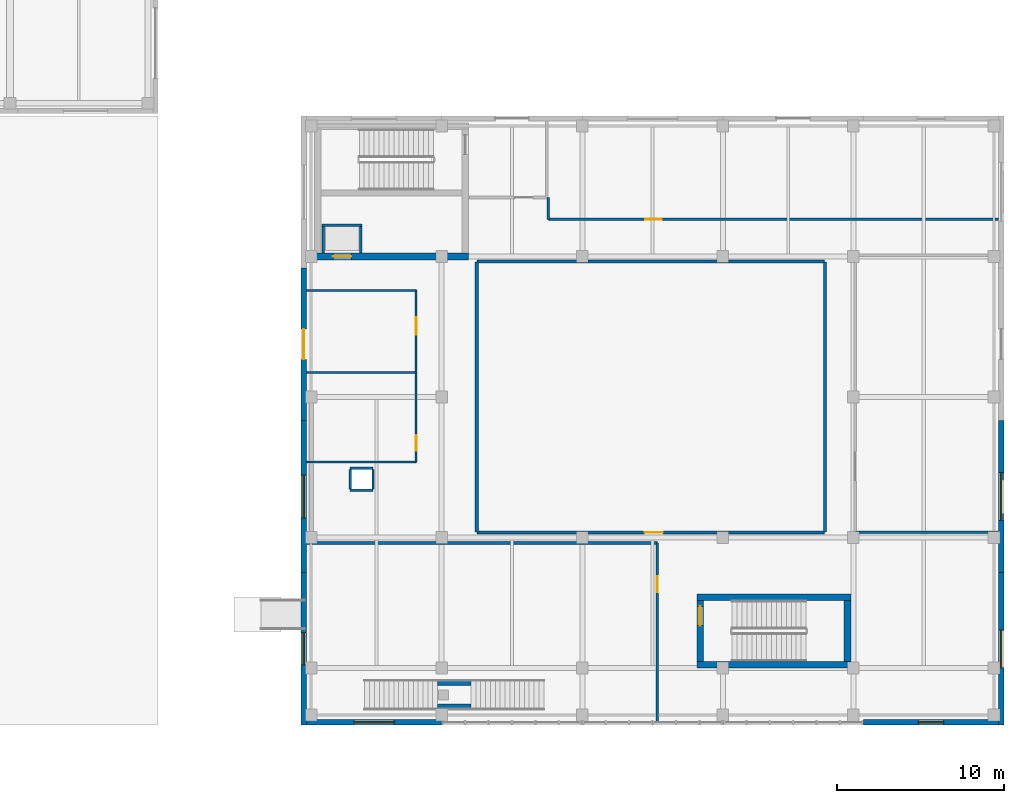
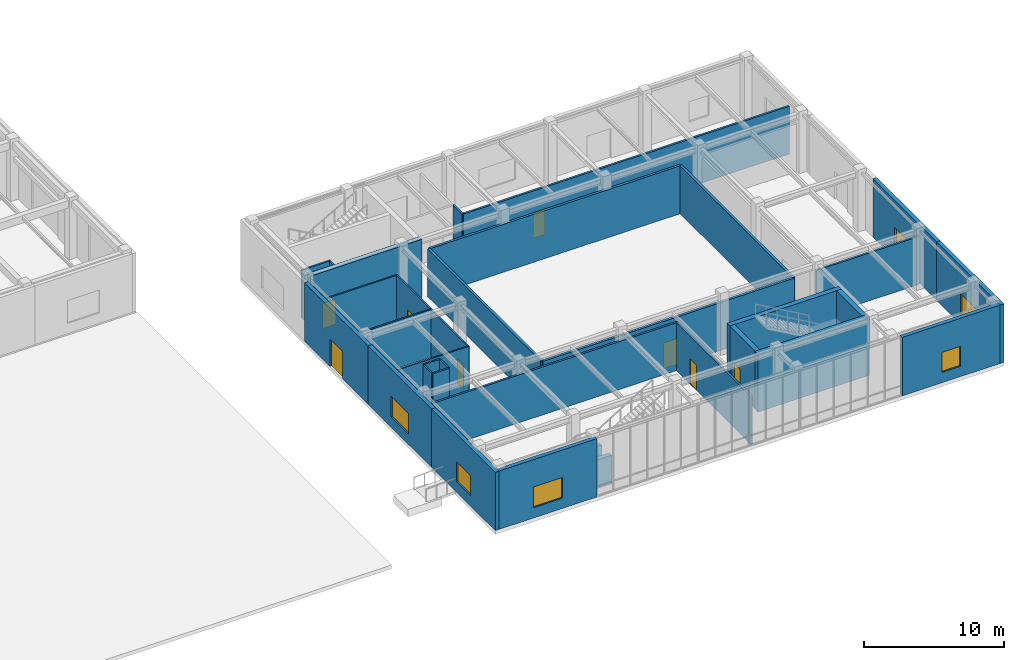
# One storey, part 100 of 122: 35 walls, 8 doors, 6 windows, 14 openings.
"""IFC4 building model written with IfcOpenShell, lengths in metres."""

from ifc_helpers import new_model, si_unit, direction, frame, frame_2d, origin, place, context, subcontext, project, spatial, rectangle, extrude, material, layer, layer_set, type_object, element, fill, save


model = new_model("IFC4")

# Units and contexts
model_context = context("Model", 3, precision=1e-05, world=origin(), true_north=direction((0.0, 1.0)))
body_context = subcontext(model_context, "Body", "Model", "MODEL_VIEW")
ifc_project = project(units=[si_unit("LENGTHUNIT", "METRE"), si_unit("AREAUNIT", "SQUARE_METRE"), si_unit("VOLUMEUNIT", "CUBIC_METRE"), si_unit("PLANEANGLEUNIT", "RADIAN"), si_unit("MASSUNIT", "GRAM", prefix="KILO")], contexts=[model_context])

# Site, building, storey
site_placement = place(None, origin())
site = spatial("IfcSite", under=ifc_project, at=site_placement, CompositionType="ELEMENT")
building_placement = place(site_placement, origin())
building = spatial("IfcBuilding", under=site, at=building_placement, Name="Zayran Congress Hotel", CompositionType="ELEMENT")
storey_placement = place(building_placement, origin())
storey = spatial("IfcBuildingStorey", under=building, at=storey_placement, Name="L00", CompositionType="ELEMENT", Elevation=0.0)

# Wall, opening, window
ifc_material_1 = material(Name="Ajlun white limestone and insulated concrete C32/40", Category="masonry")
ifc_layer_1 = layer(ifc_material_1, 0.320068359375)
ifc_layer_set_1 = layer_set([ifc_layer_1], Name="Ajlun white limestone and insulated concrete C32/40")
wall_type_1 = type_object("IfcWallType", Name="WL-EX-320", PredefinedType="SOLIDWALL", material=ifc_layer_set_1)
wall_1_placement = place(storey_placement, frame((159.60009765625, 6.159912109375, 0.0), z_axis=(0.0, 0.0, 1.0), x_axis=(-1.0, 0.0, 0.0)))
wall_1 = element("IfcWall", 1, at=wall_1_placement, inside=storey, type_object=wall_type_1, Name="EW-V3-S-L00-0", PredefinedType="SOLIDWALL", context=body_context, shape_type="SweptSolid", body=[
    extrude(rectangle(XDim=8.080078125, YDim=0.320068359375, at=frame_2d((4.0400390625, 0.0))), origin(), (0.0, 0.0, 1.0), 5.10009765625),
])
opening_1_placement = place(wall_1_placement, frame((2.840087890625, 0.0, 0.89990234375)))
opening_1 = element("IfcOpeningElement", 2, at=opening_1_placement, cuts=wall_1, Name="Opening WN-03", PredefinedType="OPENING", context=body_context, shape_type="SweptSolid", body=[
    extrude(rectangle(XDim=2.39990234375, YDim=1.800048828125, at=frame_2d((1.199951171875, 0.89990234375))), frame((0.0, 0.169921875, 0.0), z_axis=(0.0, -1.0, 0.0), x_axis=(1.0, 0.0, 0.0)), (0.0, 0.0, 1.0), 0.340087890625),
])
ifc_material_2 = material(Name="Anodised aluminium and low-E insulated glass", Category="aluminium")
window_type_1 = type_object("IfcWindowType", Name="TP-WN-03", PartitioningType="DOUBLE_PANEL_VERTICAL", PredefinedType="WINDOW", material=ifc_material_2)
window_1_placement = place(opening_1_placement, origin())
window_1 = element("IfcWindow", 3, at=window_1_placement, inside=storey, type_object=window_type_1, Name="WIN-V3-0056", OverallHeight=1.800048828125, OverallWidth=2.39990234375, PartitioningType="SINGLE_PANEL", PredefinedType="WINDOW", context=body_context, shape_type="SweptSolid", body=[
    extrude(rectangle(XDim=2.39990234375, YDim=1.800048828125, at=frame_2d((1.199951171875, 0.89990234375))), frame((0.0, 0.030029296875, 0.0), z_axis=(0.0, -1.0, 0.0), x_axis=(1.0, 0.0, 0.0)), (0.0, 0.0, 1.0), 0.06005859375),
])
fill(opening_1, window_1)

wall_2_placement = place(storey_placement, frame((192.8798828125, 6.159912109375, 0.0), z_axis=(0.0, 0.0, 1.0), x_axis=(-1.0, 0.0, 0.0)))
wall_2 = element("IfcWall", 4, at=wall_2_placement, inside=storey, type_object=wall_type_1, Name="EW-V3-S-L00-4", PredefinedType="SOLIDWALL", context=body_context, shape_type="SweptSolid", body=[
    extrude(rectangle(XDim=8.079833984375, YDim=0.320068359375, at=frame_2d((4.0400390625, 0.0))), origin(), (0.0, 0.0, 1.0), 5.10009765625),
])
opening_2_placement = place(wall_2_placement, frame((3.2900390625, 0.0, 0.89990234375)))
opening_2 = element("IfcOpeningElement", 5, at=opening_2_placement, cuts=wall_2, Name="Opening WN-06", PredefinedType="OPENING", context=body_context, shape_type="SweptSolid", body=[
    extrude(rectangle(XDim=1.5, YDim=1.75, at=frame_2d((0.75, 0.875))), frame((0.0, 0.169921875, 0.0), z_axis=(0.0, -1.0, 0.0), x_axis=(1.0, 0.0, 0.0)), (0.0, 0.0, 1.0), 0.340087890625),
])
window_type_2 = type_object("IfcWindowType", Name="TP-WN-06", PartitioningType="SINGLE_PANEL", PredefinedType="WINDOW", material=ifc_material_2)
window_2_placement = place(opening_2_placement, origin())
window_2 = element("IfcWindow", 6, at=window_2_placement, inside=storey, type_object=window_type_2, Name="WIN-V3-0061", OverallHeight=1.75, OverallWidth=1.5, PartitioningType="SINGLE_PANEL", PredefinedType="WINDOW", context=body_context, shape_type="SweptSolid", body=[
    extrude(rectangle(XDim=1.5, YDim=1.75, at=frame_2d((0.75, 0.875))), frame((0.0, 0.030029296875, 0.0), z_axis=(0.0, -1.0, 0.0), x_axis=(1.0, 0.0, 0.0)), (0.0, 0.0, 1.0), 0.06005859375),
])
fill(opening_2, window_2)

wall_3_placement = place(storey_placement, frame((151.360107421875, 6.0, 0.0), z_axis=(0.0, 0.0, 1.0), x_axis=(0.0, 1.0, 0.0)))
wall_3 = element("IfcWall", 7, at=wall_3_placement, inside=storey, type_object=wall_type_1, Name="EW-V3-W-L00-0", PredefinedType="SOLIDWALL", context=body_context, shape_type="SweptSolid", body=[
    extrude(rectangle(XDim=9.10009765625, YDim=0.320068359375, at=frame_2d((4.550048828125, 0.0))), origin(), (0.0, 0.0, 1.0), 5.10009765625),
])
opening_3_placement = place(wall_3_placement, frame((3.574951171875, 0.0, 0.89990234375)))
opening_3 = element("IfcOpeningElement", 8, at=opening_3_placement, cuts=wall_3, Name="Opening WN-08", PredefinedType="OPENING", context=body_context, shape_type="SweptSolid", body=[
    extrude(rectangle(XDim=1.949951171875, YDim=1.75, at=frame_2d((0.97509765625, 0.875))), frame((0.0, 0.169921875, 0.0), z_axis=(0.0, -1.0, 0.0), x_axis=(1.0, 0.0, 0.0)), (0.0, 0.0, 1.0), 0.340087890625),
])
window_type_3 = type_object("IfcWindowType", Name="TP-WN-08", PartitioningType="DOUBLE_PANEL_VERTICAL", PredefinedType="WINDOW", material=ifc_material_2)
window_3_placement = place(opening_3_placement, origin())
window_3 = element("IfcWindow", 9, at=window_3_placement, inside=storey, type_object=window_type_3, Name="WIN-V3-0063", OverallHeight=1.75, OverallWidth=1.949951171875, PartitioningType="SINGLE_PANEL", PredefinedType="WINDOW", context=body_context, shape_type="SweptSolid", body=[
    extrude(rectangle(XDim=1.949951171875, YDim=1.75, at=frame_2d((0.97509765625, 0.875))), frame((0.0, 0.030029296875, 0.0), z_axis=(0.0, -1.0, 0.0), x_axis=(1.0, 0.0, 0.0)), (0.0, 0.0, 1.0), 0.06005859375),
])
fill(opening_3, window_3)

wall_4_placement = place(storey_placement, frame((193.0400390625, 15.10009765625, 0.0), z_axis=(0.0, 0.0, 1.0), x_axis=(0.0, -1.0, 0.0)))
wall_4 = element("IfcWall", 10, at=wall_4_placement, inside=storey, type_object=wall_type_1, Name="EW-V3-E-L00-0", PredefinedType="SOLIDWALL", context=body_context, shape_type="SweptSolid", body=[
    extrude(rectangle(XDim=9.10009765625, YDim=0.320068359375, at=frame_2d((4.550048828125, 0.0))), origin(), (0.0, 0.0, 1.0), 5.10009765625),
])
opening_4_placement = place(wall_4_placement, frame((3.425048828125, 0.0, 0.89990234375)))
opening_4 = element("IfcOpeningElement", 11, at=opening_4_placement, cuts=wall_4, Name="Opening WN-09", PredefinedType="OPENING", context=body_context, shape_type="SweptSolid", body=[
    extrude(rectangle(XDim=2.25, YDim=1.75, at=frame_2d((1.125, 0.875))), frame((0.0, 0.169921875, 0.0), z_axis=(0.0, -1.0, 0.0), x_axis=(1.0, 0.0, 0.0)), (0.0, 0.0, 1.0), 0.340087890625),
])
window_type_4 = type_object("IfcWindowType", Name="TP-WN-09", PartitioningType="DOUBLE_PANEL_VERTICAL", PredefinedType="WINDOW", material=ifc_material_2)
window_4_placement = place(opening_4_placement, origin())
window_4 = element("IfcWindow", 12, at=window_4_placement, inside=storey, type_object=window_type_4, Name="WIN-V3-0064", OverallHeight=1.75, OverallWidth=2.25, PartitioningType="SINGLE_PANEL", PredefinedType="WINDOW", context=body_context, shape_type="SweptSolid", body=[
    extrude(rectangle(XDim=2.25, YDim=1.75, at=frame_2d((1.125, 0.875))), frame((0.0, 0.030029296875, 0.0), z_axis=(0.0, -1.0, 0.0), x_axis=(1.0, 0.0, 0.0)), (0.0, 0.0, 1.0), 0.06005859375),
])
fill(opening_4, window_4)

wall_5_placement = place(storey_placement, frame((151.360107421875, 15.10009765625, 0.0), z_axis=(0.0, 0.0, 1.0), x_axis=(0.0, 1.0, 0.0)))
wall_5 = element("IfcWall", 13, at=wall_5_placement, inside=storey, type_object=wall_type_1, Name="EW-V3-W-L00-1", PredefinedType="SOLIDWALL", context=body_context, shape_type="SweptSolid", body=[
    extrude(rectangle(XDim=9.099853515625, YDim=0.320068359375, at=frame_2d((4.5498046875, 0.0))), origin(), (0.0, 0.0, 1.0), 5.10009765625),
])
opening_5_placement = place(wall_5_placement, frame((3.27490234375, 0.0, 0.89990234375)))
opening_5 = element("IfcOpeningElement", 14, at=opening_5_placement, cuts=wall_5, Name="Opening WN-10", PredefinedType="OPENING", context=body_context, shape_type="SweptSolid", body=[
    extrude(rectangle(XDim=2.550048828125, YDim=1.800048828125, at=frame_2d((1.27490234375, 0.89990234375))), frame((0.0, 0.169921875, 0.0), z_axis=(0.0, -1.0, 0.0), x_axis=(1.0, 0.0, 0.0)), (0.0, 0.0, 1.0), 0.340087890625),
])
window_type_5 = type_object("IfcWindowType", Name="TP-WN-10", PartitioningType="DOUBLE_PANEL_VERTICAL", PredefinedType="WINDOW", material=ifc_material_2)
window_5_placement = place(opening_5_placement, origin())
window_5 = element("IfcWindow", 15, at=window_5_placement, inside=storey, type_object=window_type_5, Name="WIN-V3-0065", OverallHeight=1.800048828125, OverallWidth=2.550048828125, PartitioningType="SINGLE_PANEL", PredefinedType="WINDOW", context=body_context, shape_type="SweptSolid", body=[
    extrude(rectangle(XDim=2.550048828125, YDim=1.800048828125, at=frame_2d((1.27490234375, 0.89990234375))), frame((0.0, 0.030029296875, 0.0), z_axis=(0.0, -1.0, 0.0), x_axis=(1.0, 0.0, 0.0)), (0.0, 0.0, 1.0), 0.06005859375),
])
fill(opening_5, window_5)

wall_6_placement = place(storey_placement, frame((193.0400390625, 24.199951171875, 0.0), z_axis=(0.0, 0.0, 1.0), x_axis=(0.0, -1.0, 0.0)))
wall_6 = element("IfcWall", 16, at=wall_6_placement, inside=storey, type_object=wall_type_1, Name="EW-V3-E-L00-1", PredefinedType="SOLIDWALL", context=body_context, shape_type="SweptSolid", body=[
    extrude(rectangle(XDim=9.099853515625, YDim=0.320068359375, at=frame_2d((4.5498046875, 0.0))), origin(), (0.0, 0.0, 1.0), 5.10009765625),
])
opening_6_placement = place(wall_6_placement, frame((3.125, 0.0, 0.89990234375)))
opening_6 = element("IfcOpeningElement", 17, at=opening_6_placement, cuts=wall_6, Name="Opening WN-11", PredefinedType="OPENING", context=body_context, shape_type="SweptSolid", body=[
    extrude(rectangle(XDim=2.85009765625, YDim=1.85009765625, at=frame_2d((1.425048828125, 0.925048828125))), frame((0.0, 0.169921875, 0.0), z_axis=(0.0, -1.0, 0.0), x_axis=(1.0, 0.0, 0.0)), (0.0, 0.0, 1.0), 0.340087890625),
])
window_type_6 = type_object("IfcWindowType", Name="TP-WN-11", PartitioningType="TRIPLE_PANEL_VERTICAL", PredefinedType="WINDOW", material=ifc_material_2)
window_6_placement = place(opening_6_placement, origin())
window_6 = element("IfcWindow", 18, at=window_6_placement, inside=storey, type_object=window_type_6, Name="WIN-V3-0066", OverallHeight=1.85009765625, OverallWidth=2.85009765625, PartitioningType="SINGLE_PANEL", PredefinedType="WINDOW", context=body_context, shape_type="SweptSolid", body=[
    extrude(rectangle(XDim=2.85009765625, YDim=1.85009765625, at=frame_2d((1.425048828125, 0.925048828125))), frame((0.0, 0.030029296875, 0.0), z_axis=(0.0, -1.0, 0.0), x_axis=(1.0, 0.0, 0.0)), (0.0, 0.0, 1.0), 0.06005859375),
])
fill(opening_6, window_6)

# Wall, opening, door
wall_7_placement = place(storey_placement, frame((151.360107421875, 24.199951171875, 0.0), z_axis=(0.0, 0.0, 1.0), x_axis=(0.0, 1.0, 0.0)))
wall_7 = element("IfcWall", 19, at=wall_7_placement, inside=storey, type_object=wall_type_1, Name="EW-V3-W-L00-2", PredefinedType="SOLIDWALL", context=body_context, shape_type="SweptSolid", body=[
    extrude(rectangle(XDim=9.10009765625, YDim=0.320068359375, at=frame_2d((4.550048828125, 0.0))), origin(), (0.0, 0.0, 1.0), 5.10009765625),
])
opening_7_placement = place(wall_7_placement, frame((3.64990234375, 0.0, 0.0)))
opening_7 = element("IfcOpeningElement", 20, at=opening_7_placement, cuts=wall_7, Name="Opening DEX-03", PredefinedType="OPENING", context=body_context, shape_type="SweptSolid", body=[
    extrude(rectangle(XDim=1.800048828125, YDim=2.39990234375, at=frame_2d((0.89990234375, 1.199951171875))), frame((0.0, 0.169921875, 0.0), z_axis=(0.0, -1.0, 0.0), x_axis=(1.0, 0.0, 0.0)), (0.0, 0.0, 1.0), 0.340087890625),
])
ifc_material_3 = material(Name="Painted steel fire exit door assembly", Category="steel")
door_type_1 = type_object("IfcDoorType", Name="TP-DEX-03", OperationType="DOUBLE_DOOR_SINGLE_SWING", PredefinedType="DOOR", material=ifc_material_3)
door_1_placement = place(opening_7_placement, origin())
door_1 = element("IfcDoor", 21, at=door_1_placement, inside=storey, type_object=door_type_1, Name="V3 Side Final Exit Door 17", OperationType="DOUBLE_DOOR_SINGLE_SWING", OverallHeight=2.39990234375, OverallWidth=1.800048828125, PredefinedType="DOOR", context=body_context, shape_type="SweptSolid", body=[
    extrude(rectangle(XDim=1.800048828125, YDim=2.39990234375, at=frame_2d((0.89990234375, 1.199951171875))), frame((0.0, 0.02490234375, 0.0), z_axis=(0.0, -1.0, 0.0), x_axis=(1.0, 0.0, 0.0)), (0.0, 0.0, 1.0), 0.050048828125),
])
fill(opening_7, door_1)

ifc_material_4 = material(Name="Concrete C40/50", Category="concrete")
ifc_layer_2 = layer(ifc_material_4, 0.39990234375)
ifc_layer_set_2 = layer_set([ifc_layer_2], Name="Concrete C40/50")
wall_type_2 = type_object("IfcWallType", Name="WL-SH-400", PredefinedType="SHEAR", material=ifc_layer_set_2)
wall_8_placement = place(storey_placement, frame((152.0, 34.0, 0.0), z_axis=(0.0, 0.0, 1.0), x_axis=(1.0, 0.0, 0.0)))
wall_8 = element("IfcWall", 22, at=wall_8_placement, inside=storey, type_object=wall_type_2, Name="CWALL-C-V3W-L00-S", PredefinedType="SHEAR", context=body_context, shape_type="SweptSolid", body=[
    extrude(rectangle(XDim=9.199951171875, YDim=0.39990234375, at=frame_2d((4.60009765625, 0.0))), origin(), (0.0, 0.0, 1.0), 5.080078125),
])
opening_8_placement = place(wall_8_placement, frame((1.10009765625, 0.0, 0.0)))
opening_8 = element("IfcOpeningElement", 23, at=opening_8_placement, cuts=wall_8, Name="Opening LD-PL08", PredefinedType="OPENING", context=body_context, shape_type="SweptSolid", body=[
    extrude(rectangle(XDim=1.10009765625, YDim=2.199951171875, at=frame_2d((0.550048828125, 1.10009765625))), frame((0.0, 0.2099609375, 0.0), z_axis=(0.0, -1.0, 0.0), x_axis=(1.0, 0.0, 0.0)), (0.0, 0.0, 1.0), 0.419921875),
])
ifc_material_5 = material(Name="Brushed stainless steel sliding lift landing door", Category="steel")
door_type_2 = type_object("IfcDoorType", Name="TP-DR-LD-01", OperationType="DOUBLE_DOOR_SLIDING", PredefinedType="DOOR", material=ifc_material_5)
door_2_placement = place(opening_8_placement, origin())
door_2 = element("IfcDoor", 24, at=door_2_placement, inside=storey, type_object=door_type_2, Name="Lift PL-08 Sliding Landing Door L00", OperationType="DOUBLE_DOOR_SLIDING", OverallHeight=2.199951171875, OverallWidth=1.10009765625, PredefinedType="DOOR", context=body_context, shape_type="SweptSolid", body=[
    extrude(rectangle(XDim=1.10009765625, YDim=2.199951171875, at=frame_2d((0.550048828125, 1.10009765625))), frame((0.0, 0.02490234375, 0.0), z_axis=(0.0, -1.0, 0.0), x_axis=(1.0, 0.0, 0.0)), (0.0, 0.0, 1.0), 0.050048828125),
])
fill(opening_8, door_2)

# Walls
for number, where, z_axis, x_axis, name in (
    (25, (174.85009765625, 9.60009765625, 0.0), (0.0, 0.0, 1.0), (1.0, 0.0, 0.0), "CWALL-C-V3E-L00-S"),
    (26, (184.050048828125, 13.625, 0.0), (0.0, 0.0, 1.0), (-1.0, 0.0, 0.0), "CWALL-C-V3E-L00-N"),
):
    element("IfcWall", number, at=place(storey_placement, frame(where, z_axis=z_axis, x_axis=x_axis)), inside=storey, type_object=wall_type_2, Name=name, PredefinedType="SHEAR", context=body_context, shape_type="SweptSolid", body=[
        extrude(rectangle(XDim=9.199951171875, YDim=0.39990234375, at=frame_2d((4.60009765625, 0.0))), origin(), (0.0, 0.0, 1.0), 5.080078125),
    ])

# Wall, opening, door
wall_9_placement = place(storey_placement, frame((175.050048828125, 13.43994140625, 0.0), z_axis=(0.0, 0.0, 1.0), x_axis=(0.0, -1.0, 0.0)))
wall_9 = element("IfcWall", 27, at=wall_9_placement, inside=storey, type_object=wall_type_2, Name="CWALL-C-V3E-L00-W", PredefinedType="SHEAR", context=body_context, shape_type="SweptSolid", body=[
    extrude(rectangle(XDim=3.639892578125, YDim=0.39990234375, at=frame_2d((1.81982421875, 0.0))), origin(), (0.0, 0.0, 1.0), 5.080078125),
])
opening_9_placement = place(wall_9_placement, frame((0.35009765625, 0.0, 0.0)))
opening_9 = element("IfcOpeningElement", 28, at=opening_9_placement, cuts=wall_9, Name="Opening DR-FD-90", PredefinedType="OPENING", context=body_context, shape_type="SweptSolid", body=[
    extrude(rectangle(XDim=1.14990234375, YDim=2.199951171875, at=frame_2d((0.574951171875, 1.10009765625))), frame((0.0, 0.2099609375, 0.0), z_axis=(0.0, -1.0, 0.0), x_axis=(1.0, 0.0, 0.0)), (0.0, 0.0, 1.0), 0.419921875),
])
ifc_material_6 = material(Name="Painted steel fire door assembly", Category="steel")
door_type_3 = type_object("IfcDoorType", Name="TP-DR-FD-90", OperationType="NOTDEFINED", PredefinedType="DOOR", material=ifc_material_6)
door_3_placement = place(opening_9_placement, origin())
door_3 = element("IfcDoor", 29, at=door_3_placement, inside=storey, type_object=door_type_3, Name="ST-12 Exit Stair Door L00", OperationType="SINGLE_SWING_LEFT", OverallHeight=2.199951171875, OverallWidth=1.14990234375, PredefinedType="DOOR", context=body_context, shape_type="SweptSolid", body=[
    extrude(rectangle(XDim=1.14990234375, YDim=2.199951171875, at=frame_2d((0.574951171875, 1.10009765625))), frame((0.0, 0.02490234375, 0.0), z_axis=(0.0, -1.0, 0.0), x_axis=(1.0, 0.0, 0.0)), (0.0, 0.0, 1.0), 0.050048828125),
])
fill(opening_9, door_3)

# Walls
wall_10_placement = place(storey_placement, frame((183.85009765625, 9.800048828125, 0.0), z_axis=(0.0, 0.0, 1.0), x_axis=(0.0, 1.0, 0.0)))
element("IfcWall", 30, at=wall_10_placement, inside=storey, type_object=wall_type_2, Name="CWALL-C-V3E-L00-E", PredefinedType="SHEAR", context=body_context, shape_type="SweptSolid", body=[
    extrude(rectangle(XDim=3.639892578125, YDim=0.39990234375, at=frame_2d((1.81982421875, 0.0))), origin(), (0.0, 0.0, 1.0), 5.080078125),
])
ifc_layer_3 = layer(ifc_material_4, 0.35009765625)
ifc_layer_set_3 = layer_set([ifc_layer_3], Name="Concrete C40/50")
wall_type_3 = type_object("IfcWallType", Name="WL-SH-350", PredefinedType="SHEAR", material=ifc_layer_set_3)
for number, where, z_axis, x_axis, name in (
    (31, (159.35009765625, 7.074951171875, 0.0), (0.0, 0.0, 1.0), (1.0, 0.0, 0.0), "VWALL-SUP-05-R"),
    (32, (159.35009765625, 8.52490234375, 0.0), (0.0, 0.0, 1.0), (1.0, 0.0, 0.0), "VWALL-SUP-05-L"),
):
    element("IfcWall", number, at=place(storey_placement, frame(where, z_axis=z_axis, x_axis=x_axis)), inside=storey, type_object=wall_type_3, Name=name, PredefinedType="SHEAR", context=body_context, shape_type="SweptSolid", body=[
        extrude(rectangle(XDim=2.0, YDim=0.35009765625, at=frame_2d((1.0, 0.0))), origin(), (0.0, 0.0, 1.0), 2.5),
    ])

# Wall, opening, door
ifc_material_7 = material(Name="Concrete C32/40 acoustic masonry", Category="masonry")
ifc_layer_4 = layer(ifc_material_7, 0.199951171875)
ifc_layer_set_4 = layer_set([ifc_layer_4], Name="Concrete C32/40 acoustic masonry")
wall_type_4 = type_object("IfcWallType", Name="WL-SL-200", PredefinedType="SOLIDWALL", material=ifc_layer_set_4)
wall_11_placement = place(storey_placement, frame((161.719970703125, 17.5, 0.0), z_axis=(0.0, 0.0, 1.0), x_axis=(1.0, 0.0, 0.0)))
wall_11 = element("IfcWall", 33, at=wall_11_placement, inside=storey, type_object=wall_type_4, Name="IW-L00-0400", PredefinedType="SOLIDWALL", context=body_context, shape_type="SweptSolid", body=[
    extrude(rectangle(XDim=20.760009765625, YDim=0.199951171875, at=frame_2d((10.3798828125, 0.0))), origin(), (0.0, 0.0, 1.0), 4.179931640625),
])
opening_10_placement = place(wall_11_placement, frame((10.010986328125, 0.0, 0.0)))
opening_10 = element("IfcOpeningElement", 34, at=opening_10_placement, cuts=wall_11, Name="Opening DR-MT-01", PredefinedType="OPENING", context=body_context, shape_type="SweptSolid", body=[
    extrude(rectangle(XDim=1.080078125, YDim=2.25, at=frame_2d((0.5400390625, 1.125))), frame((0.0, 0.10986328125, 0.0), z_axis=(0.0, -1.0, 0.0), x_axis=(1.0, 0.0, 0.0)), (0.0, 0.0, 1.0), 0.219970703125),
])
ifc_material_8 = material(Name="Acoustic timber seminar room door", Category="wood")
door_type_4 = type_object("IfcDoorType", Name="TP-DR-MT-01", OperationType="NOTDEFINED", PredefinedType="DOOR", material=ifc_material_8)
door_4_placement = place(opening_10_placement, origin())
door_4 = element("IfcDoor", 35, at=door_4_placement, inside=storey, type_object=door_type_4, Name="Indoor Lap Pool Hall Door", OperationType="SINGLE_SWING_LEFT", OverallHeight=2.25, OverallWidth=1.080078125, PredefinedType="DOOR", context=body_context, shape_type="SweptSolid", body=[
    extrude(rectangle(XDim=1.080078125, YDim=2.25, at=frame_2d((0.5400390625, 1.125))), frame((0.0, 0.02490234375, 0.0), z_axis=(0.0, -1.0, 0.0), x_axis=(1.0, 0.0, 0.0)), (0.0, 0.0, 1.0), 0.050048828125),
])
fill(opening_10, door_4)

# Walls
wall_12_placement = place(storey_placement, frame((161.719970703125, 33.699951171875, 0.0), z_axis=(0.0, 0.0, 1.0), x_axis=(1.0, 0.0, 0.0)))
element("IfcWall", 36, at=wall_12_placement, inside=storey, type_object=wall_type_4, Name="IW-L00-1673", PredefinedType="SOLIDWALL", context=body_context, shape_type="SweptSolid", body=[
    extrude(rectangle(XDim=20.760009765625, YDim=0.199951171875, at=frame_2d((10.3798828125, 0.0))), origin(), (0.0, 0.0, 1.0), 4.179931640625),
])
for number, where, z_axis, x_axis, name in (
    (37, (161.699951171875, 17.52001953125, 0.0), (0.0, 0.0, 1.0), (0.0, 1.0, 0.0), "IW-L00-1674"),
    (38, (182.5, 17.52001953125, 0.0), (0.0, 0.0, 1.0), (0.0, 1.0, 0.0), "IW-L00-1675"),
):
    element("IfcWall", number, at=place(storey_placement, frame(where, z_axis=z_axis, x_axis=x_axis)), inside=storey, type_object=wall_type_4, Name=name, PredefinedType="SOLIDWALL", context=body_context, shape_type="SweptSolid", body=[
        extrude(rectangle(XDim=16.159912109375, YDim=0.199951171875, at=frame_2d((8.080078125, 0.0))), origin(), (0.0, 0.0, 1.0), 4.179931640625),
    ])

# Wall, opening, door
ifc_material_9 = material(Name="Acoustic twin-stud gypsum partition", Category="gypsum")
ifc_layer_5 = layer(ifc_material_9, 0.159912109375)
ifc_layer_set_5 = layer_set([ifc_layer_5], Name="Acoustic twin-stud gypsum partition")
wall_type_5 = type_object("IfcWallType", Name="WL-PT-160", PredefinedType="PARTITIONING", material=ifc_layer_set_5)
wall_13_placement = place(storey_placement, frame((172.47998046875, 6.179931640625, 0.0), z_axis=(0.0, 0.0, 1.0), x_axis=(0.0, 1.0, 0.0)))
wall_13 = element("IfcWall", 39, at=wall_13_placement, inside=storey, type_object=wall_type_5, Name="IW-L00-0401", PredefinedType="PARTITIONING", context=body_context, shape_type="SweptSolid", body=[
    extrude(rectangle(XDim=10.699951171875, YDim=0.159912109375, at=frame_2d((5.35009765625, 0.0))), origin(), (0.0, 0.0, 1.0), 4.179931640625),
])
opening_11_placement = place(wall_13_placement, frame((7.740966796875, 0.0, 0.0)))
opening_11 = element("IfcOpeningElement", 40, at=opening_11_placement, cuts=wall_13, Name="Opening DR-SP-01", PredefinedType="OPENING", context=body_context, shape_type="SweptSolid", body=[
    extrude(rectangle(XDim=0.97998046875, YDim=2.199951171875, at=frame_2d((0.489990234375, 1.10009765625))), frame((0.0, 0.08984375, 0.0), z_axis=(0.0, -1.0, 0.0), x_axis=(1.0, 0.0, 0.0)), (0.0, 0.0, 1.0), 0.179931640625),
])
ifc_material_10 = material(Name="Teak thermal spa suite door", Category="wood")
door_type_5 = type_object("IfcDoorType", Name="TP-DR-SP-01", OperationType="NOTDEFINED", PredefinedType="DOOR", material=ifc_material_10)
door_5_placement = place(opening_11_placement, origin())
door_5 = element("IfcDoor", 41, at=door_5_placement, inside=storey, type_object=door_type_5, Name="Spa Reception and Juice Cafe Door", OperationType="SINGLE_SWING_RIGHT", OverallHeight=2.199951171875, OverallWidth=0.97998046875, PredefinedType="DOOR", context=body_context, shape_type="SweptSolid", body=[
    extrude(rectangle(XDim=0.97998046875, YDim=2.199951171875, at=frame_2d((0.489990234375, 1.10009765625))), frame((0.0, 0.02490234375, 0.0), z_axis=(0.0, -1.0, 0.0), x_axis=(1.0, 0.0, 0.0)), (0.0, 0.0, 1.0), 0.050048828125),
])
fill(opening_11, door_5)

wall_14_placement = place(storey_placement, frame((165.969970703125, 36.219970703125, 0.0), z_axis=(0.0, 0.0, 1.0), x_axis=(1.0, 0.0, 0.0)))
wall_14 = element("IfcWall", 42, at=wall_14_placement, inside=storey, type_object=wall_type_5, Name="IW-L00-0403", PredefinedType="PARTITIONING", context=body_context, shape_type="SweptSolid", body=[
    extrude(rectangle(XDim=26.909912109375, YDim=0.159912109375, at=frame_2d((13.455078125, 0.0))), origin(), (0.0, 0.0, 1.0), 4.179931640625),
])
opening_12_placement = place(wall_14_placement, frame((5.7900390625, 0.0, 0.0)))
opening_12 = element("IfcOpeningElement", 43, at=opening_12_placement, cuts=wall_14, Name="Opening DR-SP-01", PredefinedType="OPENING", context=body_context, shape_type="SweptSolid", body=[
    extrude(rectangle(XDim=0.97998046875, YDim=2.199951171875, at=frame_2d((0.489990234375, 1.10009765625))), frame((0.0, 0.08984375, 0.0), z_axis=(0.0, -1.0, 0.0), x_axis=(1.0, 0.0, 0.0)), (0.0, 0.0, 1.0), 0.179931640625),
])
door_6_placement = place(opening_12_placement, origin())
door_6 = element("IfcDoor", 44, at=door_6_placement, inside=storey, type_object=door_type_5, Name="Thermal Hammam and Sauna Suite Door", OperationType="SINGLE_SWING_RIGHT", OverallHeight=2.199951171875, OverallWidth=0.97998046875, PredefinedType="DOOR", context=body_context, shape_type="SweptSolid", body=[
    extrude(rectangle(XDim=0.97998046875, YDim=2.199951171875, at=frame_2d((0.489990234375, 1.10009765625))), frame((0.0, 0.02490234375, 0.0), z_axis=(0.0, -1.0, 0.0), x_axis=(1.0, 0.0, 0.0)), (0.0, 0.0, 1.0), 0.050048828125),
])
fill(opening_12, door_6)

# Walls
wall_15_placement = place(storey_placement, frame((151.52001953125, 16.8798828125, 0.0), z_axis=(0.0, 0.0, 1.0), x_axis=(1.0, 0.0, 0.0)))
element("IfcWall", 45, at=wall_15_placement, inside=storey, type_object=wall_type_5, Name="IW-L00-1676", PredefinedType="PARTITIONING", context=body_context, shape_type="SweptSolid", body=[
    extrude(rectangle(XDim=20.9599609375, YDim=0.159912109375, at=frame_2d((10.47998046875, 0.0))), origin(), (0.0, 0.0, 1.0), 4.179931640625),
])
wall_16_placement = place(storey_placement, frame((165.969970703125, 36.219970703125, 0.0), z_axis=(0.0, 0.0, 1.0), x_axis=(0.0, 1.0, 0.0)))
element("IfcWall", 46, at=wall_16_placement, inside=storey, type_object=wall_type_5, Name="IW-L00-1678", PredefinedType="PARTITIONING", context=body_context, shape_type="SweptSolid", body=[
    extrude(rectangle(XDim=1.300048828125, YDim=0.159912109375, at=frame_2d((0.64990234375, 0.0))), origin(), (0.0, 0.0, 1.0), 4.179931640625),
])
wall_17_placement = place(storey_placement, frame((184.320068359375, 17.52001953125, 0.0), z_axis=(0.0, 0.0, 1.0), x_axis=(1.0, 0.0, 0.0)))
element("IfcWall", 47, at=wall_17_placement, inside=storey, type_object=wall_type_5, Name="IW-L00-1679", PredefinedType="PARTITIONING", context=body_context, shape_type="SweptSolid", body=[
    extrude(rectangle(XDim=8.559814453125, YDim=0.159912109375, at=frame_2d((4.27978515625, 0.0))), origin(), (0.0, 0.0, 1.0), 4.179931640625),
])
ifc_material_11 = material(Name="Hospitality guestroom acoustic partition", Category="gypsum")
ifc_layer_6 = layer(ifc_material_11, 0.139892578125)
ifc_layer_set_6 = layer_set([ifc_layer_6], Name="Hospitality guestroom acoustic partition")
wall_type_6 = type_object("IfcWallType", Name="WL-PT-140", PredefinedType="PARTITIONING", material=ifc_layer_set_6)
for number, where, z_axis, x_axis, name in (
    (48, (152.530029296875, 34.199951171875, 0.0), (0.0, 0.0, 1.0), (0.0, 1.0, 0.0), "LSHW-C-V3W-L00-W"),
    (49, (154.77001953125, 34.199951171875, 0.0), (0.0, 0.0, 1.0), (0.0, 1.0, 0.0), "LSHW-C-V3W-L00-E"),
):
    element("IfcWall", number, at=place(storey_placement, frame(where, z_axis=z_axis, x_axis=x_axis)), inside=storey, type_object=wall_type_6, Name=name, PredefinedType="PARTITIONING", context=body_context, shape_type="SweptSolid", body=[
        extrude(rectangle(XDim=1.60009765625, YDim=0.139892578125, at=frame_2d((0.800048828125, 0.0))), origin(), (0.0, 0.0, 1.0), 4.22998046875),
    ])
wall_18_placement = place(storey_placement, frame((152.4599609375, 35.8701171875, 0.0), z_axis=(0.0, 0.0, 1.0), x_axis=(1.0, 0.0, 0.0)))
element("IfcWall", 50, at=wall_18_placement, inside=storey, type_object=wall_type_6, Name="LSHW-C-V3W-L00-N", PredefinedType="PARTITIONING", context=body_context, shape_type="SweptSolid", body=[
    extrude(rectangle(XDim=2.380126953125, YDim=0.139892578125, at=frame_2d((1.18994140625, 0.0))), origin(), (0.0, 0.0, 1.0), 4.22998046875),
])
for number, where, z_axis, x_axis, name in (
    (51, (154.1298828125, 20.030029296875, 0.0), (0.0, 0.0, 1.0), (1.0, 0.0, 0.0), "RSWL-V3-L00-012-S"),
    (52, (155.489990234375, 21.35009765625, 0.0), (0.0, 0.0, 1.0), (-1.0, 0.0, 0.0), "RSWL-V3-L00-012-N"),
):
    element("IfcWall", number, at=place(storey_placement, frame(where, z_axis=z_axis, x_axis=x_axis)), inside=storey, type_object=wall_type_6, Name=name, PredefinedType="PARTITIONING", context=body_context, shape_type="SweptSolid", body=[
        extrude(rectangle(XDim=1.360107421875, YDim=0.139892578125, at=frame_2d((0.68017578125, 0.0))), origin(), (0.0, 0.0, 1.0), 4.199951171875),
    ])
for number, where, z_axis, x_axis, name in (
    (53, (154.1298828125, 21.280029296875, 0.0), (0.0, 0.0, 1.0), (0.0, -1.0, 0.0), "RSWL-V3-L00-012-W"),
    (54, (155.489990234375, 20.10009765625, 0.0), (0.0, 0.0, 1.0), (0.0, 1.0, 0.0), "RSWL-V3-L00-012-E"),
):
    element("IfcWall", number, at=place(storey_placement, frame(where, z_axis=z_axis, x_axis=x_axis)), inside=storey, type_object=wall_type_6, Name=name, PredefinedType="PARTITIONING", context=body_context, shape_type="SweptSolid", body=[
        extrude(rectangle(XDim=1.179931640625, YDim=0.139892578125, at=frame_2d((0.58984375, 0.0))), origin(), (0.0, 0.0, 1.0), 4.199951171875),
    ])

# Wall, opening, door
ifc_material_12 = material(Name="Moisture-resistant bathroom partition", Category="gypsum")
ifc_layer_7 = layer(ifc_material_12, 0.1201171875)
ifc_layer_set_7 = layer_set([ifc_layer_7], Name="Moisture-resistant bathroom partition")
wall_type_7 = type_object("IfcWallType", Name="WL-PT-120", PredefinedType="PARTITIONING", material=ifc_layer_set_7)
wall_19_placement = place(storey_placement, frame((158.070068359375, 21.719970703125, 0.0), z_axis=(0.0, 0.0, 1.0), x_axis=(0.0, 1.0, 0.0)))
wall_19 = element("IfcWall", 55, at=wall_19_placement, inside=storey, type_object=wall_type_7, Name="IW-L00-0341", PredefinedType="PARTITIONING", context=body_context, shape_type="SweptSolid", body=[
    extrude(rectangle(XDim=5.360107421875, YDim=0.1201171875, at=frame_2d((2.68017578125, 0.0))), origin(), (0.0, 0.0, 1.0), 4.179931640625),
])
opening_13_placement = place(wall_19_placement, frame((0.679931640625, 0.0, 0.0)))
opening_13 = element("IfcOpeningElement", 56, at=opening_13_placement, cuts=wall_19, Name="Opening DR-WC-01", PredefinedType="OPENING", context=body_context, shape_type="SweptSolid", body=[
    extrude(rectangle(XDim=0.919921875, YDim=2.14990234375, at=frame_2d((0.4599609375, 1.074951171875))), frame((0.0, 0.070068359375, 0.0), z_axis=(0.0, -1.0, 0.0), x_axis=(1.0, 0.0, 0.0)), (0.0, 0.0, 1.0), 0.14013671875),
])
ifc_material_13 = material(Name="Laminated timber public washroom door", Category="wood")
door_type_6 = type_object("IfcDoorType", Name="TP-DR-WC-01", OperationType="NOTDEFINED", PredefinedType="DOOR", material=ifc_material_13)
door_7_placement = place(opening_13_placement, origin())
door_7 = element("IfcDoor", 57, at=door_7_placement, inside=storey, type_object=door_type_6, Name="Public WC L00 Spa Door", OperationType="SINGLE_SWING_RIGHT", OverallHeight=2.14990234375, OverallWidth=0.919921875, PredefinedType="DOOR", context=body_context, shape_type="SweptSolid", body=[
    extrude(rectangle(XDim=0.919921875, YDim=2.14990234375, at=frame_2d((0.4599609375, 1.074951171875))), frame((0.0, 0.02490234375, 0.0), z_axis=(0.0, -1.0, 0.0), x_axis=(1.0, 0.0, 0.0)), (0.0, 0.0, 1.0), 0.050048828125),
])
fill(opening_13, door_7)

wall_20_placement = place(storey_placement, frame((158.070068359375, 27.1201171875, 0.0), z_axis=(0.0, 0.0, 1.0), x_axis=(0.0, 1.0, 0.0)))
wall_20 = element("IfcWall", 58, at=wall_20_placement, inside=storey, type_object=wall_type_7, Name="IW-L00-0342", PredefinedType="PARTITIONING", context=body_context, shape_type="SweptSolid", body=[
    extrude(rectangle(XDim=4.85986328125, YDim=0.1201171875, at=frame_2d((2.429931640625, 0.0))), origin(), (0.0, 0.0, 1.0), 4.179931640625),
])
opening_14_placement = place(wall_20_placement, frame((2.197021484375, 0.0, 0.0)))
opening_14 = element("IfcOpeningElement", 59, at=opening_14_placement, cuts=wall_20, Name="Opening DR-WC-02", PredefinedType="OPENING", context=body_context, shape_type="SweptSolid", body=[
    extrude(rectangle(XDim=1.0400390625, YDim=2.14990234375, at=frame_2d((0.52001953125, 1.074951171875))), frame((0.0, 0.070068359375, 0.0), z_axis=(0.0, -1.0, 0.0), x_axis=(1.0, 0.0, 0.0)), (0.0, 0.0, 1.0), 0.14013671875),
])
ifc_material_14 = material(Name="Accessible public washroom door", Category="steel")
door_type_7 = type_object("IfcDoorType", Name="TP-DR-WC-02", OperationType="NOTDEFINED", PredefinedType="DOOR", material=ifc_material_14)
door_8_placement = place(opening_14_placement, origin())
door_8 = element("IfcDoor", 60, at=door_8_placement, inside=storey, type_object=door_type_7, Name="Accessible WC L00 Spa Door", OperationType="SINGLE_SWING_LEFT", OverallHeight=2.14990234375, OverallWidth=1.0400390625, PredefinedType="DOOR", context=body_context, shape_type="SweptSolid", body=[
    extrude(rectangle(XDim=1.0400390625, YDim=2.14990234375, at=frame_2d((0.52001953125, 1.074951171875))), frame((0.0, 0.02490234375, 0.0), z_axis=(0.0, -1.0, 0.0), x_axis=(1.0, 0.0, 0.0)), (0.0, 0.0, 1.0), 0.050048828125),
])
fill(opening_14, door_8)

# Walls
for number, where, z_axis, x_axis, name in (
    (61, (151.52001953125, 21.72998046875, 0.0), (0.0, 0.0, 1.0), (1.0, 0.0, 0.0), "IW-L00-1549"),
    (62, (151.52001953125, 27.070068359375, 0.0), (0.0, 0.0, 1.0), (1.0, 0.0, 0.0), "IW-L00-1550"),
    (63, (151.52001953125, 31.969970703125, 0.0), (0.0, 0.0, 1.0), (1.0, 0.0, 0.0), "IW-L00-1551"),
):
    element("IfcWall", number, at=place(storey_placement, frame(where, z_axis=z_axis, x_axis=x_axis)), inside=storey, type_object=wall_type_7, Name=name, PredefinedType="PARTITIONING", context=body_context, shape_type="SweptSolid", body=[
        extrude(rectangle(XDim=6.56005859375, YDim=0.1201171875, at=frame_2d((3.280029296875, 0.0))), origin(), (0.0, 0.0, 1.0), 4.179931640625),
    ])

save(model, "model.ifc")
